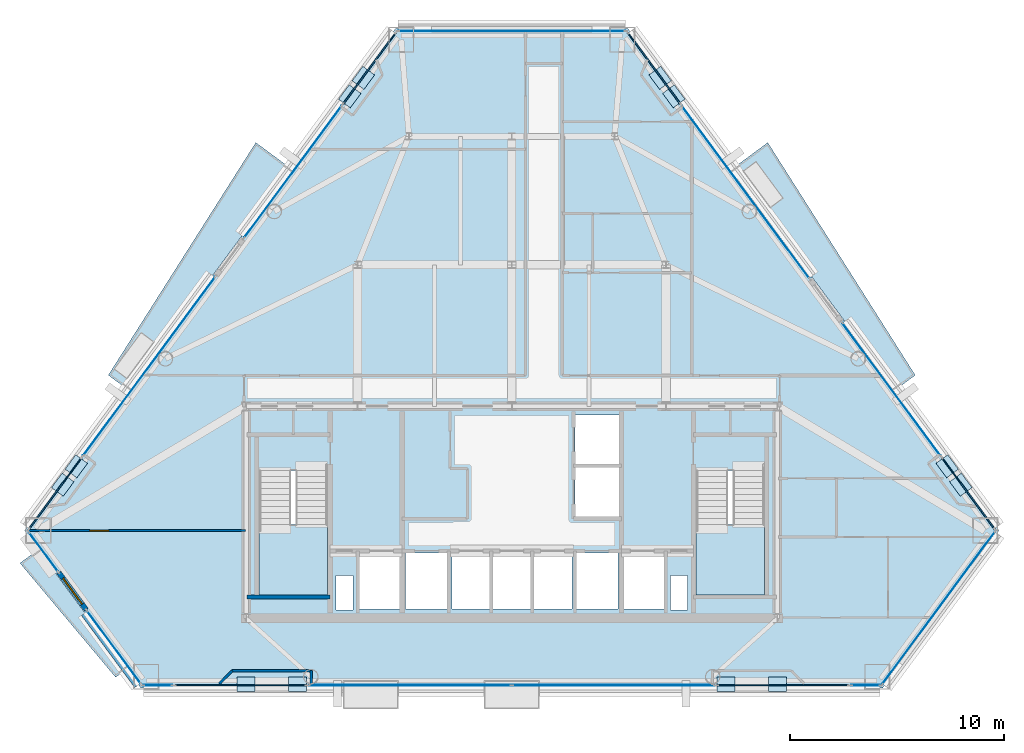
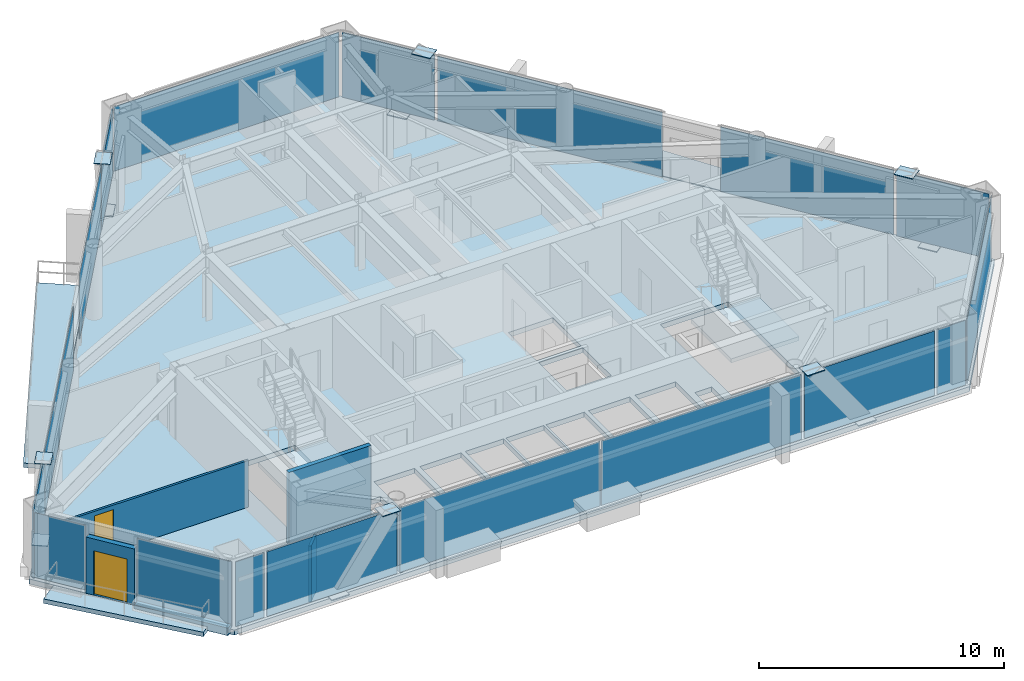
# One storey, part 6 of 11: 30 plates, 7 walls, 6 slabs, 2 doors, 2 openings, 19 elements without a shape of their own.
"""IFC4 building model written with IfcOpenShell, lengths in metres."""

import ifcopenshell
import ifcopenshell.guid

model = None  # the IFC model being written
_history = None  # IfcOwnerHistory: only IFC2X3 demands one
_inside = {}  # id of a spatial element -> (the spatial element, [elements in it])
_under = {}  # id of a project, library or spatial element -> (it, [spatial elements below it])
_declared = {}  # id of a project -> (the project, [libraries it declares])
_typed = {}  # id of a type object -> (the type object, [elements of that type])
_made_of = {}  # id of a material, layer set ... -> (it, [elements and type objects made of it])


def new_model(schema):
    """Start an empty IFC model of exactly this schema.

    Asked for "IFC4X3", IfcOpenShell would pick the latest addendum, in which some entities
    have other attributes; the version numbers below select the first issue.
    IFC2X3 requires an IfcOwnerHistory on every rooted entity: one is made here for all.
    """
    global model, _history
    if schema == "IFC4X3":
        model = ifcopenshell.file(schema_version=(4, 3, 0, 0))
    else:
        model = ifcopenshell.file(schema=schema)
    _inside.clear()
    _under.clear()
    _declared.clear()
    _typed.clear()
    _made_of.clear()
    _history = None
    if model.schema == "IFC2X3":
        org = make("IfcOrganization", Name="unknown")
        user = make(
            "IfcPersonAndOrganization",
            ThePerson=make("IfcPerson", FamilyName="unknown"),
            TheOrganization=org,
        )
        app = make(
            "IfcApplication",
            ApplicationDeveloper=org,
            Version="unknown",
            ApplicationFullName="unknown",
            ApplicationIdentifier="unknown",
        )
        _history = make(
            "IfcOwnerHistory",
            OwningUser=user,
            OwningApplication=app,
            ChangeAction="ADDED",
            CreationDate=0,
        )
    return model


def make(cls, **values):
    """One entity of the class cls with the attributes given. An attribute that is None is left unset."""
    return model.create_entity(
        cls, **{name: value for name, value in values.items() if value is not None}
    )


def rooted(cls, **values):
    """An entity with a GlobalId (a new one), such as an element, a storey or a relation."""
    return make(cls, GlobalId=ifcopenshell.guid.new(), OwnerHistory=_history, **values)


def si_unit(unit_type, name, prefix=None):
    """IfcSIUnit, for example si_unit("LENGTHUNIT", "METRE", prefix="MILLI")."""
    return make("IfcSIUnit", UnitType=unit_type, Prefix=prefix, Name=name)


def assignment(units):
    """IfcUnitAssignment: the units of a project."""
    return None if units is None else make("IfcUnitAssignment", Units=units)


def point(xyz):
    """IfcCartesianPoint."""
    return None if xyz is None else make("IfcCartesianPoint", Coordinates=xyz)


def direction(xyz):
    """IfcDirection."""
    return None if xyz is None else make("IfcDirection", DirectionRatios=xyz)


def frame(location, z_axis=None, x_axis=None):
    """IfcAxis2Placement3D, a coordinate frame: its origin and axes. An axis left out is left unset."""
    return make(
        "IfcAxis2Placement3D",
        Location=point(location),
        Axis=direction(z_axis),
        RefDirection=direction(x_axis),
    )


def frame_2d(location, x_axis=None):
    """IfcAxis2Placement2D, a coordinate frame in the plane: its origin and x axis."""
    return make(
        "IfcAxis2Placement2D", Location=point(location), RefDirection=direction(x_axis)
    )


def origin():
    """The frame at (0, 0, 0) with its axes left unset."""
    return frame((0.0, 0.0, 0.0))


def origin_2d():
    """The frame at (0, 0) in the plane with its x axis left unset."""
    return frame_2d((0.0, 0.0))


def place(relative_to, where):
    """IfcLocalPlacement: puts the frame where relative to a parent placement (None: the world)."""
    return make(
        "IfcLocalPlacement", PlacementRelTo=relative_to, RelativePlacement=where
    )


def context(
    kind, dimensions, precision=None, world=None, true_north=None, identifier=None
):
    """IfcGeometricRepresentationContext, for example the 3D "Model" context."""
    return make(
        "IfcGeometricRepresentationContext",
        ContextIdentifier=identifier,
        ContextType=kind,
        CoordinateSpaceDimension=dimensions,
        Precision=precision,
        WorldCoordinateSystem=world,
        TrueNorth=true_north,
    )


def subcontext(parent, identifier, kind, view, scale=None):
    """IfcGeometricRepresentationSubContext, for example "Body" below "Model"."""
    return make(
        "IfcGeometricRepresentationSubContext",
        ContextIdentifier=identifier,
        ContextType=kind,
        ParentContext=parent,
        TargetScale=scale,
        TargetView=view,
    )


def project(units=None, contexts=None):
    """IfcProject with its units and contexts."""
    return rooted(
        "IfcProject",
        Name="project",
        RepresentationContexts=contexts,
        UnitsInContext=assignment(units),
    )


def spatial(cls, under=None, at=None, **own):
    """A site, building, storey or space (cls), placed at a placement, below another one or the project."""
    s = rooted(cls, ObjectPlacement=at, **own)
    if under is not None:
        _under.setdefault(under.id(), (under, []))[1].append(s)
    return s


def polyline(points):
    """IfcPolyline through the points."""
    return make("IfcPolyline", Points=[point(p) for p in points])


def profile(cls, at=None, kind="AREA", **sizes):
    """A parametric profile (cls). Its sizes go by their IFC names, for example OverallWidth=200.0."""
    return make(cls, ProfileType=kind, Position=at, **sizes)


def rectangle(**sizes):
    """IfcRectangleProfileDef."""
    return profile("IfcRectangleProfileDef", **sizes)


def outline(outer, holes=None, kind="AREA"):
    """IfcArbitraryClosedProfileDef: a profile drawn as a closed curve; with holes, ...WithVoids."""
    if holes is None:
        return make("IfcArbitraryClosedProfileDef", ProfileType=kind, OuterCurve=outer)
    return make(
        "IfcArbitraryProfileDefWithVoids",
        ProfileType=kind,
        OuterCurve=outer,
        InnerCurves=holes,
    )


def extrude(swept, where, along, depth):
    """IfcExtrudedAreaSolid: the profile swept, set in the frame where, extruded along a direction by depth."""
    return make(
        "IfcExtrudedAreaSolid",
        SweptArea=swept,
        Position=where,
        ExtrudedDirection=direction(along),
        Depth=depth,
    )


def shape(context_of_items, identifier, shape_type, items):
    """IfcShapeRepresentation: the items that make up one representation, for example the "Body"."""
    return make(
        "IfcShapeRepresentation",
        ContextOfItems=context_of_items,
        RepresentationIdentifier=identifier,
        RepresentationType=shape_type,
        Items=items,
    )


def source(mapping_origin, context_of_items, identifier, shape_type, items):
    """IfcRepresentationMap: a shape defined once, which mapped items show again and again."""
    return make(
        "IfcRepresentationMap",
        MappingOrigin=mapping_origin,
        MappedRepresentation=shape(context_of_items, identifier, shape_type, items),
    )


def transform(
    local_origin,
    x_axis=None,
    y_axis=None,
    z_axis=None,
    scale=None,
    scale2=None,
    scale3=None,
    uniform=True,
):
    """IfcCartesianTransformationOperator3D, or its non-uniform kind. x_axis, y_axis, z_axis: its Axis1, 2, 3."""
    if uniform:
        return make(
            "IfcCartesianTransformationOperator3D",
            Axis1=direction(x_axis),
            Axis2=direction(y_axis),
            LocalOrigin=point(local_origin),
            Scale=scale,
            Axis3=direction(z_axis),
        )
    return make(
        "IfcCartesianTransformationOperator3DnonUniform",
        Axis1=direction(x_axis),
        Axis2=direction(y_axis),
        LocalOrigin=point(local_origin),
        Scale=scale,
        Axis3=direction(z_axis),
        Scale2=scale2,
        Scale3=scale3,
    )


def mapped(mapping_source, mapping_target):
    """IfcMappedItem: shows the shape of a source again, moved by a transform."""
    return make(
        "IfcMappedItem", MappingSource=mapping_source, MappingTarget=mapping_target
    )


def material(Name=None, Category=None):
    """IfcMaterial."""
    return make("IfcMaterial", Name=Name, Category=Category)


def layer(
    of_material, thickness, ventilated=None, Name=None, Category=None, Priority=None
):
    """IfcMaterialLayer: one layer of a wall or slab, of a material (None: an air gap)."""
    return make(
        "IfcMaterialLayer",
        Material=of_material,
        LayerThickness=thickness,
        IsVentilated=ventilated,
        Name=Name,
        Category=Category,
        Priority=Priority,
    )


def layer_set(layers, Name=None):
    """IfcMaterialLayerSet."""
    return make("IfcMaterialLayerSet", MaterialLayers=layers, LayerSetName=Name)


def made_of(thing, what):
    """Note that an element or type object is made of a material, layer set ...; save() writes the relation."""
    if what is not None:
        _made_of.setdefault(what.id(), (what, []))[1].append(thing)
    return thing


def type_object(cls, material=None, **own):
    """A type object (cls), such as IfcWallType, which elements share."""
    return made_of(rooted(cls, **own), material)


def type_shapes(of_type, sources):
    """Give a type object the sources (RepresentationMaps) that its elements show as mapped items."""
    of_type.RepresentationMaps = sources


def element(
    cls,
    number,
    at=None,
    inside=None,
    cuts=None,
    type_object=None,
    material=None,
    context=None,
    identifier="Body",
    shape_type=None,
    held_by="IfcProductDefinitionShape",
    body=None,
    shapes=None,
    **own,
):
    """One element of the class cls, such as IfcWall. Its Tag is "e" and its number.

    at: its placement. inside: the storey or other place that contains it. cuts: it is an
    opening in that element (IfcRelVoidsElement). A single representation is given by context,
    identifier, shape_type and body (its items); several are given by shapes. held_by: the class
    of the entity that holds the representations. save() writes the other relations.
    """
    e = rooted(cls, Tag="e%d" % number, ObjectPlacement=at, **own)
    if body is not None:
        shapes = [shape(context, identifier, shape_type, body)]
    if shapes is not None:
        e.Representation = make(held_by, Representations=shapes)
    if inside is not None:
        _inside.setdefault(inside.id(), (inside, []))[1].append(e)
    if cuts is not None:
        rooted(
            "IfcRelVoidsElement", RelatingBuildingElement=cuts, RelatedOpeningElement=e
        )
    if type_object is not None:
        _typed.setdefault(type_object.id(), (type_object, []))[1].append(e)
    return made_of(e, material)


def fill(opening, filler):
    """IfcRelFillsElement: the door or window that sits in an opening."""
    return rooted(
        "IfcRelFillsElement",
        RelatingOpeningElement=opening,
        RelatedBuildingElement=filler,
    )


def aggregate(whole, parts):
    """IfcRelAggregates: a whole, such as a stair, and the parts it consists of."""
    return rooted("IfcRelAggregates", RelatingObject=whole, RelatedObjects=parts)


def save(model, path):
    """Write the relations noted so far, then the file.

    IfcRelAggregates (storeys below a building ...), IfcRelContainedInSpatialStructure (elements
    in a storey), IfcRelDefinesByType, IfcRelAssociatesMaterial and IfcRelDeclares: one each for
    every whole, place, type object, material and project.
    """
    for whole, parts in _under.values():
        aggregate(whole, parts)
    for where, things in _inside.values():
        rooted(
            "IfcRelContainedInSpatialStructure",
            RelatedElements=things,
            RelatingStructure=where,
        )
    for kind, things in _typed.values():
        rooted("IfcRelDefinesByType", RelatedObjects=things, RelatingType=kind)
    for what, things in _made_of.values():
        rooted("IfcRelAssociatesMaterial", RelatedObjects=things, RelatingMaterial=what)
    for by, libraries in _declared.values():
        rooted("IfcRelDeclares", RelatingContext=by, RelatedDefinitions=libraries)
    model.write(path)


model = new_model("IFC4")

# Units and contexts
model_context = context("Model", 3, precision=1e-05, world=origin(), true_north=direction((0.0, 1.0)))
body_context = subcontext(model_context, "Body", "Model", "MODEL_VIEW")
ifc_project = project(units=[si_unit("LENGTHUNIT", "METRE"), si_unit("AREAUNIT", "SQUARE_METRE"), si_unit("VOLUMEUNIT", "CUBIC_METRE"), si_unit("PLANEANGLEUNIT", "RADIAN"), si_unit("MASSUNIT", "GRAM", prefix="KILO")], contexts=[model_context])

# Site, building, storey
site_placement = place(None, origin())
site = spatial("IfcSite", under=ifc_project, at=site_placement, CompositionType="ELEMENT")
building_placement = place(site_placement, origin())
building = spatial("IfcBuilding", under=site, at=building_placement, Name="Talgorran Terracotta Tower", CompositionType="ELEMENT")
storey_placement = place(building_placement, frame((0.0, 0.0, 136.5)))
storey = spatial("IfcBuildingStorey", under=building, at=storey_placement, Name="L35", CompositionType="ELEMENT", Elevation=136.5)

# Plates
ifc_material_1 = material(Name="Steel Grade 350 (350L0)", Category="steel")
ifc_layer_1 = layer(ifc_material_1, 0.035888671875, Name="PL_CAP_MN06")
ifc_layer_set_1 = layer_set([ifc_layer_1], Name="Steel Grade 350 (350L0)")
plate_type_1 = type_object("IfcPlateType", Name="PL_CAP_MN06", PredefinedType="USERDEFINED", material=ifc_layer_set_1)
for number, where, z_axis, x_axis, name in (
    (1, (-12.41162109375, -17.178955078125, -0.0078125), (0.0, 0.0, 1.0), (1.0, 0.0, 0.0), "L35 Diagonal Frame End Cap SWF Bot"),
    (2, (-9.998291015625, -17.178955078125, 3.322265625), (0.0, 0.0, 1.0), (1.0, 0.0, 0.0), "L35 Diagonal Frame End Cap SWF Top"),
    (3, (12.41162109375, -17.178955078125, -0.0078125), (0.0, 0.0, 1.0), (-1.0, 0.0, 0.0), "L35 Diagonal Frame End Cap SEF Bot"),
    (4, (9.998291015625, -17.178955078125, 3.322265625), (0.0, 0.0, 1.0), (-1.0, 0.0, 0.0), "L35 Diagonal Frame End Cap SEF Top"),
    (5, (20.96142578125, -7.85888671875, -0.0078125), (0.0, 0.0, 1.0), (-0.594401806766, 0.804168198895, 0.0), "L35 Diagonal Frame End Cap NEL Bot"),
    (6, (20.324951171875, -6.997802734375, 3.322265625), (0.0, 0.0, 1.0), (-0.594401806766, 0.804168198895, 0.0), "L35 Diagonal Frame End Cap NEL Top"),
    (7, (6.925537109375, 11.13232421875, -0.0078125), (0.0, 0.0, 1.0), (0.594401806766, -0.804168198895, 0.0), "L35 Diagonal Frame End Cap NEU Bot"),
    (8, (7.56201171875, 10.271240234375, 3.322265625), (0.0, 0.0, 1.0), (0.594401806766, -0.804168198895, 0.0), "L35 Diagonal Frame End Cap NEU Top"),
    (9, (-6.925537109375, 11.13232421875, -0.0078125), (0.0, 0.0, 1.0), (-0.594401806766, -0.804168198895, 0.0), "L35 Diagonal Frame End Cap NWU Bot"),
    (10, (-7.56201171875, 10.271240234375, 3.322265625), (0.0, 0.0, 1.0), (-0.594401806766, -0.804168198895, 0.0), "L35 Diagonal Frame End Cap NWU Top"),
    (11, (-20.96142578125, -7.85888671875, -0.0078125), (0.0, 0.0, 1.0), (0.594401806766, 0.804168198895, 0.0), "L35 Diagonal Frame End Cap NWL Bot"),
    (12, (-20.324951171875, -6.997802734375, 3.322265625), (0.0, 0.0, 1.0), (0.594401806766, 0.804168198895, 0.0), "L35 Diagonal Frame End Cap NWL Top"),
):
    element("IfcPlate", number, at=place(storey_placement, frame(where, z_axis=z_axis, x_axis=x_axis)), inside=storey, type_object=plate_type_1, Name=name, ObjectType="CAP PLATE", PredefinedType="USERDEFINED", context=body_context, shape_type="SweptSolid", body=[
        extrude(rectangle(XDim=0.840087890625, YDim=0.679931640625, at=origin_2d()), origin(), (0.0, 0.0, 1.0), 0.035888671875),
    ])

# Slabs
ifc_material_2 = material(Name="Concrete C40/50", Category="concrete")
ifc_layer_2 = layer(ifc_material_2, 0.219970703125, Name="SL_BALCONY_220")
ifc_layer_set_2 = layer_set([ifc_layer_2], Name="Concrete C40/50")
slab_type_1 = type_object("IfcSlabType", Name="SL_BALCONY_220", PredefinedType="FLOOR", material=ifc_layer_set_2)
slab_1_placement = place(storey_placement, frame((0.0, 0.0, -0.219970703125)))
element("IfcSlab", 13, at=slab_1_placement, inside=storey, type_object=slab_type_1, Name="L35 Outdoor Wave Balcony BAL-NE", PredefinedType="FLOOR", context=body_context, shape_type="SweptSolid", body=[
    extrude(outline(polyline([(10.28515625, 6.881103515625), (17.905517578125, -3.4296875), (18.832275390625, -2.7451171875), (11.947998046875, 8.10986328125), (10.28515625, 6.881103515625)])), origin(), (0.0, 0.0, 1.0), 0.219970703125),
])
slab_2_placement = place(storey_placement, frame((0.0, 0.0, -0.219970703125)))
element("IfcSlab", 14, at=slab_2_placement, inside=storey, type_object=slab_type_1, Name="L35 Outdoor Wave Balcony BAL-NW", PredefinedType="FLOOR", context=body_context, shape_type="SweptSolid", body=[
    extrude(outline(polyline([(-17.905517578125, -3.4296875), (-10.28515625, 6.881103515625), (-11.947998046875, 8.10986328125), (-18.832275390625, -2.7451171875), (-17.905517578125, -3.4296875)])), origin(), (0.0, 0.0, 1.0), 0.219970703125),
])
slab_3_placement = place(storey_placement, frame((0.0, 0.0, -0.219970703125)))
element("IfcSlab", 15, at=slab_3_placement, inside=storey, type_object=slab_type_1, Name="L35 Outdoor Wave Balcony BAL-SW", PredefinedType="FLOOR", context=body_context, shape_type="SweptSolid", body=[
    extrude(outline(polyline([(-17.98193359375, -16.46728515625), (-22.10400390625, -10.889892578125), (-22.955078125, -11.518798828125), (-18.4931640625, -16.844970703125), (-17.98193359375, -16.46728515625)])), origin(), (0.0, 0.0, 1.0), 0.219970703125),
])

# Stair, slab
stair_type = type_object("IfcStairType", Name="ST_FIRE_SCISSOR", PredefinedType="HALF_TURN_STAIR", material=ifc_material_2)
stair_1_placement = place(storey_placement, origin())
stair_1 = element("IfcStair", 16, at=stair_1_placement, inside=storey, type_object=stair_type, Name="L35 West Protected Fire Stair ST-01", PredefinedType="HALF_TURN_STAIR")
ifc_layer_3 = layer(ifc_material_2, 0.199951171875, Name="SL_LANDING_200")
ifc_layer_set_3 = layer_set([ifc_layer_3], Name="Concrete C40/50")
slab_type_2 = type_object("IfcSlabType", Name="SL_LANDING_200", PredefinedType="LANDING", material=ifc_layer_set_3)
slab_4_placement = place(storey_placement, frame((0.0, 0.0, 1.60009765625)))
slab_4 = element("IfcSlab", 17, at=slab_4_placement, type_object=slab_type_2, Name="ST-01 landing 1", PredefinedType="LANDING", context=body_context, shape_type="SweptSolid", body=[
    extrude(outline(polyline([(-11.800048828125, -9.719970703125), (-11.800048828125, -13.0), (-8.60009765625, -13.0), (-8.60009765625, -9.719970703125), (-11.800048828125, -9.719970703125)])), origin(), (0.0, 0.0, 1.0), 0.199951171875),
])
aggregate(stair_1, [slab_4])

stair_2_placement = place(storey_placement, origin())
stair_2 = element("IfcStair", 18, at=stair_2_placement, inside=storey, type_object=stair_type, Name="L35 East Protected Fire Stair ST-02", PredefinedType="HALF_TURN_STAIR")
slab_5_placement = place(storey_placement, frame((0.0, 0.0, 1.60009765625)))
slab_5 = element("IfcSlab", 19, at=slab_5_placement, type_object=slab_type_2, Name="ST-02 landing 1", PredefinedType="LANDING", context=body_context, shape_type="SweptSolid", body=[
    extrude(outline(polyline([(8.60009765625, -9.719970703125), (8.60009765625, -13.0), (11.800048828125, -13.0), (11.800048828125, -9.719970703125), (8.60009765625, -9.719970703125)])), origin(), (0.0, 0.0, 1.0), 0.199951171875),
])
aggregate(stair_2, [slab_5])

# Slab
ifc_layer_4 = layer(ifc_material_2, 0.25, Name="SL_TOWER_250")
ifc_layer_set_4 = layer_set([ifc_layer_4], Name="Concrete C40/50")
slab_type_3 = type_object("IfcSlabType", Name="SL_TOWER_250", PredefinedType="FLOOR", material=ifc_layer_set_4)
slab_6_placement = place(storey_placement, frame((0.0, 0.0, -0.25)))
element("IfcSlab", 20, at=slab_6_placement, inside=storey, type_object=slab_type_3, Name="Storey L35 Structural Floor Slab", PredefinedType="FLOOR", context=body_context, shape_type="SweptSolid", body=[
    extrude(outline(polyline([(-22.742919921875, -10.000244140625), (-17.319091796875, -17.3388671875), (17.319091796875, -17.3388671875), (22.742919921875, -10.000244140625), (5.423828125, 13.43359375), (-5.423828125, 13.43359375), (-22.742919921875, -10.000244140625)]), holes=[polyline([(-11.800048828125, -7.199951171875), (-11.800048828125, -13.0), (-8.60009765625, -13.0), (-8.60009765625, -7.199951171875), (-11.800048828125, -7.199951171875)]), polyline([(8.60009765625, -7.199951171875), (8.60009765625, -13.0), (11.800048828125, -13.0), (11.800048828125, -7.199951171875), (8.60009765625, -7.199951171875)]), polyline([(-7.10009765625, -13.64990234375), (-5.199951171875, -13.64990234375), (-5.199951171875, -11.050048828125), (-7.10009765625, -11.050048828125), (-7.10009765625, -13.64990234375)]), polyline([(5.199951171875, -13.64990234375), (7.10009765625, -13.64990234375), (7.10009765625, -11.050048828125), (5.199951171875, -11.050048828125), (5.199951171875, -13.64990234375)]), polyline([(3.0, -13.64990234375), (4.949951171875, -13.64990234375), (4.949951171875, -11.050048828125), (3.0, -11.050048828125), (3.0, -13.64990234375)]), polyline([(-4.949951171875, -13.64990234375), (-3.0, -13.64990234375), (-3.0, -11.050048828125), (-4.949951171875, -11.050048828125), (-4.949951171875, -13.64990234375)]), polyline([(2.949951171875, -9.35009765625), (5.050048828125, -9.35009765625), (5.050048828125, -7.050048828125), (2.949951171875, -7.050048828125), (2.949951171875, -9.35009765625)]), polyline([(2.949951171875, -6.89990234375), (5.050048828125, -6.89990234375), (5.050048828125, -4.60009765625), (2.949951171875, -4.60009765625), (2.949951171875, -6.89990234375)]), polyline([(-2.800048828125, -13.64990234375), (-1.0, -13.64990234375), (-1.0, -11.050048828125), (-2.800048828125, -11.050048828125), (-2.800048828125, -13.64990234375)]), polyline([(-0.89990234375, -13.64990234375), (0.89990234375, -13.64990234375), (0.89990234375, -11.050048828125), (-0.89990234375, -11.050048828125), (-0.89990234375, -13.64990234375)]), polyline([(1.0, -13.64990234375), (2.800048828125, -13.64990234375), (2.800048828125, -11.050048828125), (1.0, -11.050048828125), (1.0, -13.64990234375)]), polyline([(-8.199951171875, -13.699951171875), (-7.39990234375, -13.699951171875), (-7.39990234375, -12.10009765625), (-8.199951171875, -12.10009765625), (-8.199951171875, -13.699951171875)]), polyline([(7.39990234375, -13.699951171875), (8.199951171875, -13.699951171875), (8.199951171875, -12.10009765625), (7.39990234375, -12.10009765625), (7.39990234375, -13.699951171875)])]), origin(), (0.0, 0.0, 1.0), 0.25),
])

# Curtain wall, plate
ifc_material_3 = material(Name="Unitised Low-E Double Glazing", Category="glass")
ifc_layer_5 = layer(ifc_material_3, 0.199951171875, Name="CW_SYS2_RES_LOW")
ifc_layer_set_5 = layer_set([ifc_layer_5], Name="Unitised Low-E Double Glazing")
curtain_wall_type = type_object("IfcCurtainWallType", Name="CW_SYS2_RES_LOW", PredefinedType="NOTDEFINED", material=ifc_layer_set_5)
curtain_wall_1_placement = place(storey_placement, origin())
curtain_wall_1 = element("IfcCurtainWall", 21, at=curtain_wall_1_placement, inside=storey, type_object=curtain_wall_type, Name="CW-L35-F10", PredefinedType="NOTDEFINED")
ifc_material_4 = material(Name="Low-E Laminated Vision Glass", Category="glass")
ifc_layer_6 = layer(ifc_material_4, 0.028076171875, Name="PLT_VISION_28")
ifc_layer_set_6 = layer_set([ifc_layer_6], Name="Low-E Laminated Vision Glass")
plate_type_2 = type_object("IfcPlateType", Name="PLT_VISION_28", PredefinedType="CURTAIN_PANEL", material=ifc_layer_set_6)
shared_shape_1 = source(origin(), body_context, "Body", "SweptSolid", [
    extrude(rectangle(XDim=2.269287109375, YDim=0.028076171875, at=origin_2d()), origin(), (0.0, 0.0, 1.0), 3.219970703125),
])
plate_1_placement = place(storey_placement, frame((-21.85693359375, -10.9970703125, 0.06494140625), z_axis=(0.0, 0.0, 1.0), x_axis=(0.594350043169, -0.804206457438, 0.0)))
plate_1 = element("IfcPlate", 22, at=plate_1_placement, type_object=plate_type_2, Name="CW-L35-10 panel 1.1", PredefinedType="CURTAIN_PANEL", context=body_context, shape_type="MappedRepresentation", body=[
    mapped(shared_shape_1, transform((0.0, 0.0, 0.0), scale=1.0)),
])
aggregate(curtain_wall_1, [plate_1])

curtain_wall_2_placement = place(storey_placement, origin())
curtain_wall_2 = element("IfcCurtainWall", 23, at=curtain_wall_2_placement, inside=storey, type_object=curtain_wall_type, Name="CW-L35-F11", PredefinedType="NOTDEFINED")
shared_shape_2 = source(origin(), body_context, "Body", "SweptSolid", [
    extrude(rectangle(XDim=4.206787109375, YDim=0.028076171875, at=origin_2d()), origin(), (0.0, 0.0, 1.0), 3.219970703125),
])
plate_2_placement = place(storey_placement, frame((-18.5712890625, -15.44287109375, 0.06494140625), z_axis=(0.0, 0.0, 1.0), x_axis=(0.594366424253, -0.804194350714, 0.0)))
plate_2 = element("IfcPlate", 24, at=plate_2_placement, type_object=plate_type_2, Name="CW-L35-11 panel 1.1", PredefinedType="CURTAIN_PANEL", context=body_context, shape_type="MappedRepresentation", body=[
    mapped(shared_shape_2, transform((0.0, 0.0, 0.0), scale=1.0)),
])
aggregate(curtain_wall_2, [plate_2])

curtain_wall_3_placement = place(storey_placement, origin())
curtain_wall_3 = element("IfcCurtainWall", 25, at=curtain_wall_3_placement, inside=storey, type_object=curtain_wall_type, Name="CW-L35-F1", PredefinedType="NOTDEFINED")
shared_shape_3 = source(origin(), body_context, "Body", "SweptSolid", [
    extrude(rectangle(XDim=1.3359375, YDim=0.028076171875, at=origin_2d()), origin(), (0.0, 0.0, 1.0), 3.219970703125),
])
plate_3_placement = place(storey_placement, frame((-16.525634765625, -17.218994140625, 0.06494140625), z_axis=(0.0, 0.0, 1.0), x_axis=(1.0, 0.0, 0.0)))
plate_3 = element("IfcPlate", 26, at=plate_3_placement, type_object=plate_type_2, Name="CW-L35-1 panel 1.1", PredefinedType="CURTAIN_PANEL", context=body_context, shape_type="MappedRepresentation", body=[
    mapped(shared_shape_3, transform((0.0, 0.0, 0.0), scale=1.0)),
])
aggregate(curtain_wall_3, [plate_3])

curtain_wall_4_placement = place(storey_placement, origin())
curtain_wall_4 = element("IfcCurtainWall", 27, at=curtain_wall_4_placement, inside=storey, type_object=curtain_wall_type, Name="CW-L35-F1E", PredefinedType="NOTDEFINED")
plate_4_placement = place(storey_placement, frame((16.525634765625, -17.218994140625, 0.06494140625), z_axis=(0.0, 0.0, 1.0), x_axis=(1.0, 0.0, 0.0)))
plate_4 = element("IfcPlate", 28, at=plate_4_placement, type_object=plate_type_2, Name="CW-L35-1E panel 1.1", PredefinedType="CURTAIN_PANEL", context=body_context, shape_type="MappedRepresentation", body=[
    mapped(shared_shape_3, transform((0.0, 0.0, 0.0), scale=1.0)),
])
aggregate(curtain_wall_4, [plate_4])

curtain_wall_5_placement = place(storey_placement, origin())
curtain_wall_5 = element("IfcCurtainWall", 29, at=curtain_wall_5_placement, inside=storey, type_object=curtain_wall_type, Name="CW-L35-F1B", PredefinedType="NOTDEFINED")
ifc_material_5 = material(Name="Terracotta Insulated Spandrel", Category="masonry")
ifc_layer_7 = layer(ifc_material_5, 0.06494140625, Name="PLT_SPANDREL_TERRA")
ifc_layer_set_7 = layer_set([ifc_layer_7], Name="Terracotta Insulated Spandrel")
plate_type_3 = type_object("IfcPlateType", Name="PLT_SPANDREL_TERRA", PredefinedType="SHEET", material=ifc_layer_set_7)
shared_shape_4 = source(origin(), body_context, "Body", "SweptSolid", [
    extrude(rectangle(XDim=6.1171875, YDim=0.06494140625, at=origin_2d()), origin(), (0.0, 0.0, 1.0), 3.219970703125),
])
plate_5_placement = place(storey_placement, frame((-12.658935546875, -17.218994140625, 0.06494140625), z_axis=(0.0, 0.0, 1.0), x_axis=(1.0, 0.0, 0.0)))
plate_5 = element("IfcPlate", 30, at=plate_5_placement, type_object=plate_type_3, Name="CW-L35-1B panel 1.1", PredefinedType="CURTAIN_PANEL", context=body_context, shape_type="MappedRepresentation", body=[
    mapped(shared_shape_4, transform((0.0, 0.0, 0.0), scale=1.0)),
])
aggregate(curtain_wall_5, [plate_5])

curtain_wall_6_placement = place(storey_placement, origin())
curtain_wall_6 = element("IfcCurtainWall", 31, at=curtain_wall_6_placement, inside=storey, type_object=curtain_wall_type, Name="CW-L35-F1D", PredefinedType="NOTDEFINED")
plate_6_placement = place(storey_placement, frame((12.658935546875, -17.218994140625, 0.06494140625), z_axis=(0.0, 0.0, 1.0), x_axis=(1.0, 0.0, 0.0)))
plate_6 = element("IfcPlate", 32, at=plate_6_placement, type_object=plate_type_3, Name="CW-L35-1D panel 1.1", PredefinedType="CURTAIN_PANEL", context=body_context, shape_type="MappedRepresentation", body=[
    mapped(shared_shape_4, transform((0.0, 0.0, 0.0), scale=1.0)),
])
aggregate(curtain_wall_6, [plate_6])

# Curtain wall, plates
curtain_wall_7_placement = place(storey_placement, origin())
curtain_wall_7 = element("IfcCurtainWall", 33, at=curtain_wall_7_placement, inside=storey, type_object=curtain_wall_type, Name="CW-L35-F1C", PredefinedType="NOTDEFINED")
shared_shape_5 = source(origin(), body_context, "Body", "SweptSolid", [
    extrude(rectangle(XDim=9.427734375, YDim=0.028076171875, at=origin_2d()), origin(), (0.0, 0.0, 1.0), 3.219970703125),
])
plate_7_placement = place(storey_placement, frame((-4.746337890625, -17.218994140625, 0.06494140625), z_axis=(0.0, 0.0, 1.0), x_axis=(1.0, 0.0, 0.0)))
plate_7 = element("IfcPlate", 34, at=plate_7_placement, type_object=plate_type_2, Name="CW-L35-1C panel 1.1", PredefinedType="CURTAIN_PANEL", context=body_context, shape_type="MappedRepresentation", body=[
    mapped(shared_shape_5, transform((0.0, 0.0, 0.0), scale=1.0)),
])
plate_8_placement = place(storey_placement, frame((4.746337890625, -17.218994140625, 0.06494140625), z_axis=(0.0, 0.0, 1.0), x_axis=(1.0, 0.0, 0.0)))
plate_8 = element("IfcPlate", 35, at=plate_8_placement, type_object=plate_type_2, Name="CW-L35-1C panel 2.1", PredefinedType="CURTAIN_PANEL", context=body_context, shape_type="MappedRepresentation", body=[
    mapped(shared_shape_5, transform((0.0, 0.0, 0.0), scale=1.0)),
])
aggregate(curtain_wall_7, [plate_7, plate_8])

# Curtain wall, plate
curtain_wall_8_placement = place(storey_placement, origin())
curtain_wall_8 = element("IfcCurtainWall", 36, at=curtain_wall_8_placement, inside=storey, type_object=curtain_wall_type, Name="CW-L35-F2", PredefinedType="NOTDEFINED")
shared_shape_6 = source(origin(), body_context, "Body", "SweptSolid", [
    extrude(rectangle(XDim=8.84619140625, YDim=0.028076171875, at=origin_2d()), origin(), (0.0, 0.0, 1.0), 3.219970703125),
])
plate_9_placement = place(storey_placement, frame((19.92626953125, -13.609619140625, 0.06494140625), z_axis=(0.0, 0.0, 1.0), x_axis=(0.594357856926, 0.80420068261, 0.0)))
plate_9 = element("IfcPlate", 37, at=plate_9_placement, type_object=plate_type_2, Name="CW-L35-2 panel 1.1", PredefinedType="CURTAIN_PANEL", context=body_context, shape_type="MappedRepresentation", body=[
    mapped(shared_shape_6, transform((0.0, 0.0, 0.0), scale=1.0)),
])
aggregate(curtain_wall_8, [plate_9])

curtain_wall_9_placement = place(storey_placement, origin())
curtain_wall_9 = element("IfcCurtainWall", 38, at=curtain_wall_9_placement, inside=storey, type_object=curtain_wall_type, Name="CW-L35-F40", PredefinedType="NOTDEFINED")
shared_shape_7 = source(origin(), body_context, "Body", "SweptSolid", [
    extrude(rectangle(XDim=4.10986328125, YDim=0.06494140625, at=origin_2d()), origin(), (0.0, 0.0, 1.0), 3.219970703125),
])
plate_10_placement = place(storey_placement, frame((21.309814453125, -8.26318359375, 0.06494140625), z_axis=(0.0, 0.0, 1.0), x_axis=(-0.594358565446, 0.804200158966, 0.0)))
plate_10 = element("IfcPlate", 39, at=plate_10_placement, type_object=plate_type_3, Name="CW-L35-40 panel 1.1", PredefinedType="CURTAIN_PANEL", context=body_context, shape_type="MappedRepresentation", body=[
    mapped(shared_shape_7, transform((0.0, 0.0, 0.0), scale=1.0)),
])
aggregate(curtain_wall_9, [plate_10])

curtain_wall_10_placement = place(storey_placement, origin())
curtain_wall_10 = element("IfcCurtainWall", 40, at=curtain_wall_10_placement, inside=storey, type_object=curtain_wall_type, Name="CW-L35-F61B", PredefinedType="NOTDEFINED")
plate_11_placement = place(storey_placement, frame((-21.309814453125, -8.26318359375, 0.06494140625), z_axis=(0.0, 0.0, 1.0), x_axis=(-0.594358565446, -0.804200158966, 0.0)))
plate_11 = element("IfcPlate", 41, at=plate_11_placement, type_object=plate_type_3, Name="CW-L35-61B panel 1.1", PredefinedType="CURTAIN_PANEL", context=body_context, shape_type="MappedRepresentation", body=[
    mapped(shared_shape_7, transform((0.0, 0.0, 0.0), scale=1.0)),
])
aggregate(curtain_wall_10, [plate_11])

curtain_wall_11_placement = place(storey_placement, origin())
curtain_wall_11 = element("IfcCurtainWall", 42, at=curtain_wall_11_placement, inside=storey, type_object=curtain_wall_type, Name="CW-L35-F40B", PredefinedType="NOTDEFINED")
shared_shape_8 = source(origin(), body_context, "Body", "SweptSolid", [
    extrude(rectangle(XDim=7.69970703125, YDim=0.028076171875, at=origin_2d()), origin(), (0.0, 0.0, 1.0), 3.219970703125),
])
plate_12_placement = place(storey_placement, frame((17.717041015625, -3.40185546875, 0.06494140625), z_axis=(0.0, 0.0, 1.0), x_axis=(-0.5943594591, 0.804199498494, 0.0)))
plate_12 = element("IfcPlate", 43, at=plate_12_placement, type_object=plate_type_2, Name="CW-L35-40B panel 1.1", PredefinedType="CURTAIN_PANEL", context=body_context, shape_type="MappedRepresentation", body=[
    mapped(shared_shape_8, transform((0.0, 0.0, 0.0), scale=1.0)),
])
aggregate(curtain_wall_11, [plate_12])

curtain_wall_12_placement = place(storey_placement, origin())
curtain_wall_12 = element("IfcCurtainWall", 44, at=curtain_wall_12_placement, inside=storey, type_object=curtain_wall_type, Name="CW-L35-F41", PredefinedType="NOTDEFINED")
shared_shape_9 = source(origin(), body_context, "Body", "SweptSolid", [
    extrude(rectangle(XDim=9.999755859375, YDim=0.028076171875, at=origin_2d()), origin(), (0.0, 0.0, 1.0), 3.219970703125),
])
plate_13_placement = place(storey_placement, frame((10.917724609375, 5.798095703125, 0.06494140625), z_axis=(0.0, 0.0, 1.0), x_axis=(-0.594355808995, 0.804202196164, 0.0)))
plate_13 = element("IfcPlate", 45, at=plate_13_placement, type_object=plate_type_2, Name="CW-L35-41 panel 1.1", PredefinedType="CURTAIN_PANEL", context=body_context, shape_type="MappedRepresentation", body=[
    mapped(shared_shape_9, transform((0.0, 0.0, 0.0), scale=1.0)),
])
aggregate(curtain_wall_12, [plate_13])

curtain_wall_13_placement = place(storey_placement, origin())
curtain_wall_13 = element("IfcCurtainWall", 46, at=curtain_wall_13_placement, inside=storey, type_object=curtain_wall_type, Name="CW-L35-F41B", PredefinedType="NOTDEFINED")
shared_shape_10 = source(origin(), body_context, "Body", "SweptSolid", [
    extrude(rectangle(XDim=4.100341796875, YDim=0.06494140625, at=origin_2d()), origin(), (0.0, 0.0, 1.0), 3.219970703125),
])
type_shapes(plate_type_3, [shared_shape_4, shared_shape_7, shared_shape_10])
plate_14_placement = place(storey_placement, frame((6.644287109375, 11.580322265625, 0.06494140625), z_axis=(0.0, 0.0, 1.0), x_axis=(-0.594345863562, 0.804209546367, 0.0)))
plate_14 = element("IfcPlate", 47, at=plate_14_placement, type_object=plate_type_3, Name="CW-L35-41B panel 1.1", PredefinedType="CURTAIN_PANEL", context=body_context, shape_type="MappedRepresentation", body=[
    mapped(shared_shape_10, transform((0.0, 0.0, 0.0), scale=1.0)),
])
aggregate(curtain_wall_13, [plate_14])

curtain_wall_14_placement = place(storey_placement, origin())
curtain_wall_14 = element("IfcCurtainWall", 48, at=curtain_wall_14_placement, inside=storey, type_object=curtain_wall_type, Name="CW-L35-F60", PredefinedType="NOTDEFINED")
plate_15_placement = place(storey_placement, frame((-6.644287109375, 11.580322265625, 0.06494140625), z_axis=(0.0, 0.0, 1.0), x_axis=(-0.594361151593, -0.804198247621, 0.0)))
plate_15 = element("IfcPlate", 49, at=plate_15_placement, type_object=plate_type_3, Name="CW-L35-60 panel 1.1", PredefinedType="CURTAIN_PANEL", context=body_context, shape_type="MappedRepresentation", body=[
    mapped(shared_shape_10, transform((0.0, 0.0, 0.0), scale=1.0)),
])
aggregate(curtain_wall_14, [plate_15])

curtain_wall_15_placement = place(storey_placement, origin())
curtain_wall_15 = element("IfcCurtainWall", 50, at=curtain_wall_15_placement, inside=storey, type_object=curtain_wall_type, Name="CW-L35-F4", PredefinedType="NOTDEFINED")
shared_shape_11 = source(origin(), body_context, "Body", "SweptSolid", [
    extrude(rectangle(XDim=10.5966796875, YDim=0.028076171875, at=origin_2d()), origin(), (0.0, 0.0, 1.0), 3.219970703125),
])
plate_16_placement = place(storey_placement, frame((0.0, 13.3134765625, 0.06494140625), z_axis=(0.0, 0.0, 1.0), x_axis=(-1.0, 0.0, 0.0)))
plate_16 = element("IfcPlate", 51, at=plate_16_placement, type_object=plate_type_2, Name="CW-L35-4 panel 1.1", PredefinedType="CURTAIN_PANEL", context=body_context, shape_type="MappedRepresentation", body=[
    mapped(shared_shape_11, transform((0.0, 0.0, 0.0), scale=1.0)),
])
aggregate(curtain_wall_15, [plate_16])

curtain_wall_16_placement = place(storey_placement, origin())
curtain_wall_16 = element("IfcCurtainWall", 52, at=curtain_wall_16_placement, inside=storey, type_object=curtain_wall_type, Name="CW-L35-F60B", PredefinedType="NOTDEFINED")
shared_shape_12 = source(origin(), body_context, "Body", "SweptSolid", [
    extrude(rectangle(XDim=7.64111328125, YDim=0.028076171875, at=origin_2d()), origin(), (0.0, 0.0, 1.0), 3.219970703125),
])
plate_17_placement = place(storey_placement, frame((-10.216796875, 6.746337890625, 0.06494140625), z_axis=(0.0, 0.0, 1.0), x_axis=(-0.594364285737, -0.804195931251, 0.0)))
plate_17 = element("IfcPlate", 53, at=plate_17_placement, type_object=plate_type_2, Name="CW-L35-60B panel 1.1", PredefinedType="CURTAIN_PANEL", context=body_context, shape_type="MappedRepresentation", body=[
    mapped(shared_shape_12, transform((0.0, 0.0, 0.0), scale=1.0)),
])
aggregate(curtain_wall_16, [plate_17])

curtain_wall_17_placement = place(storey_placement, origin())
curtain_wall_17 = element("IfcCurtainWall", 54, at=curtain_wall_17_placement, inside=storey, type_object=curtain_wall_type, Name="CW-L35-F61", PredefinedType="NOTDEFINED")
shared_shape_13 = source(origin(), body_context, "Body", "SweptSolid", [
    extrude(rectangle(XDim=10.358642578125, YDim=0.028076171875, at=origin_2d()), origin(), (0.0, 0.0, 1.0), 3.219970703125),
])
type_shapes(plate_type_2, [shared_shape_1, shared_shape_2, shared_shape_3, shared_shape_5, shared_shape_6, shared_shape_8, shared_shape_9, shared_shape_11, shared_shape_12, shared_shape_13])
plate_18_placement = place(storey_placement, frame((-16.927001953125, -2.332763671875, 0.06494140625), z_axis=(0.0, 0.0, 1.0), x_axis=(-0.594360768076, -0.804198531068, 0.0)))
plate_18 = element("IfcPlate", 55, at=plate_18_placement, type_object=plate_type_2, Name="CW-L35-61 panel 1.1", PredefinedType="CURTAIN_PANEL", context=body_context, shape_type="MappedRepresentation", body=[
    mapped(shared_shape_13, transform((0.0, 0.0, 0.0), scale=1.0)),
])
aggregate(curtain_wall_17, [plate_18])

# Wall, opening, door
ifc_layer_8 = layer(ifc_material_2, 0.239990234375, Name="WT_BALCONY_SPAND")
ifc_layer_set_8 = layer_set([ifc_layer_8], Name="Concrete C40/50")
wall_type_1 = type_object("IfcWallType", Name="WT_BALCONY_SPAND", PredefinedType="STANDARD", material=ifc_layer_set_8)
wall_1_placement = place(storey_placement, frame((-21.137939453125, -11.969970703125, -0.014892578125), z_axis=(0.0, 0.0, 1.0), x_axis=(0.594381437757, -0.804183254271, 0.0)))
wall_1 = element("IfcWall", 56, at=wall_1_placement, inside=storey, type_object=wall_type_1, Name="WL-L35-BALP-BAL-SW", PredefinedType="STANDARD", context=body_context, shape_type="SweptSolid", body=[
    extrude(rectangle(XDim=2.139892578125, YDim=0.239990234375, at=frame_2d((1.06982421875, 0.0))), origin(), (0.0, 0.0, 1.0), 2.806884765625),
])
opening_1_placement = place(wall_1_placement, frame((0.320068359375, 0.0, 0.014892578125)))
opening_1 = element("IfcOpeningElement", 57, at=opening_1_placement, cuts=wall_1, Name="Opening D-BAL-L35-3", PredefinedType="OPENING", context=body_context, shape_type="SweptSolid", body=[
    extrude(rectangle(XDim=1.506, YDim=2.203951171875, at=frame_2d((0.75, 1.10205078125))), frame((0.0, 0.1298828125, 0.0), z_axis=(0.0, -1.0, 0.0), x_axis=(1.0, 0.0, 0.0)), (0.0, 0.0, 1.0), 0.260009765625),
])
ifc_material_6 = material(Name="Thermally Broken Aluminium", Category="aluminium")
door_type_1 = type_object("IfcDoorType", Name="DT_BALC_1500", OperationType="SLIDING_TO_RIGHT", PredefinedType="DOOR", material=ifc_material_6)
door_1_placement = place(opening_1_placement, origin())
door_1 = element("IfcDoor", 58, at=door_1_placement, inside=storey, type_object=door_type_1, Name="DR-L35-BAL-BAL-SW", OperationType="SLIDING_TO_RIGHT", OverallHeight=2.199951171875, OverallWidth=1.5, PredefinedType="DOOR", context=body_context, shape_type="SweptSolid", body=[
    extrude(rectangle(XDim=1.5, YDim=2.199951171875, at=frame_2d((0.75, 1.10009765625))), frame((0.0, 0.02490234375, 0.0), z_axis=(0.0, -1.0, 0.0), x_axis=(1.0, 0.0, 0.0)), (0.0, 0.0, 1.0), 0.050048828125),
])
fill(opening_1, door_1)

# Walls
ifc_material_7 = material(Name="Concrete C50/60", Category="concrete")
ifc_layer_9 = layer(ifc_material_7, 0.199951171875, Name="WT_CORE_200")
ifc_layer_set_9 = layer_set([ifc_layer_9], Name="Concrete C50/60")
wall_type_2 = type_object("IfcWallType", Name="WT_CORE_200", PredefinedType="SOLIDWALL", material=ifc_layer_set_9)
wall_2_placement = place(storey_placement, frame((-12.35009765625, -13.10009765625, 0.0), z_axis=(0.0, 0.0, 1.0), x_axis=(1.0, 0.0, 0.0)))
element("IfcWall", 59, at=wall_2_placement, inside=storey, type_object=wall_type_2, Name="WL-L35-CW-ST1-S", PredefinedType="SOLIDWALL", context=body_context, shape_type="SweptSolid", body=[
    extrude(rectangle(XDim=3.8701171875, YDim=0.199951171875, at=frame_2d((1.93505859375, 0.0))), origin(), (0.0, 0.0, 1.0), 3.60009765625),
])
ifc_layer_10 = layer(ifc_material_2, 0.219970703125, Name="WT_PARAPET_RC")
ifc_layer_set_10 = layer_set([ifc_layer_10], Name="Concrete C40/50")
wall_type_3 = type_object("IfcWallType", Name="WT_PARAPET_RC", PredefinedType="PARAPET", material=ifc_layer_set_10)
wall_3_placement = place(storey_placement, frame((-19.941162109375, -13.8583984375, -0.199951171875), z_axis=(0.0, 0.0, 1.0), x_axis=(0.594364765999, -0.804195576299, 0.0)))
element("IfcWall", 60, at=wall_3_placement, inside=storey, type_object=wall_type_3, Name="L35 Striped Portal Precast Cornice F11", PredefinedType="PARAPET", context=body_context, shape_type="SweptSolid", body=[
    extrude(rectangle(XDim=4.177001953125, YDim=0.360107421875, at=frame_2d((2.08837890625, 0.0))), origin(), (0.0, 0.0, 1.0), 0.3798828125),
])

# Wall, opening, door
ifc_material_8 = material(Name="Lightweight Steel Stud Partition", Category="steel")
ifc_layer_11 = layer(ifc_material_8, 0.10498046875, Name="WT_PART_110")
ifc_layer_set_11 = layer_set([ifc_layer_11], Name="Lightweight Steel Stud Partition")
wall_type_4 = type_object("IfcWallType", Name="WT_PART_110", PredefinedType="PARTITIONING", material=ifc_layer_set_11)
wall_4_placement = place(storey_placement, frame((-22.593505859375, -10.0, 0.0), z_axis=(0.0, 0.0, 1.0), x_axis=(1.0, 0.0, 0.0)))
wall_4 = element("IfcWall", 61, at=wall_4_placement, inside=storey, type_object=wall_type_4, Name="WL-L35-W-L35-R34", PredefinedType="PARTITIONING", context=body_context, shape_type="SweptSolid", body=[
    extrude(rectangle(XDim=10.153564453125, YDim=0.10498046875, at=frame_2d((5.07666015625, 0.0))), origin(), (0.0, 0.0, 1.0), 2.324951171875),
])
opening_2_placement = place(wall_4_placement, frame((2.89794921875, 0.0, 0.0)))
opening_2 = element("IfcOpeningElement", 62, at=opening_2_placement, cuts=wall_4, Name="Opening DR-L35-R14", PredefinedType="OPENING", context=body_context, shape_type="SweptSolid", body=[
    extrude(rectangle(XDim=0.8858828125, YDim=2.10409765625, at=frame_2d((0.43994140625, 1.052001953125))), frame((0.0, 0.0625, 0.0), z_axis=(0.0, -1.0, 0.0), x_axis=(1.0, 0.0, 0.0)), (0.0, 0.0, 1.0), 0.125),
])
ifc_material_9 = material(Name="Solid-Core Painted Timber", Category="wood")
door_type_2 = type_object("IfcDoorType", Name="DT_INT_880", OperationType="NOTDEFINED", PredefinedType="DOOR", material=ifc_material_9)
door_2_placement = place(opening_2_placement, origin())
door_2 = element("IfcDoor", 63, at=door_2_placement, inside=storey, type_object=door_type_2, Name="DR-L35-R14", OperationType="SINGLE_SWING_RIGHT", OverallHeight=2.10009765625, OverallWidth=0.8798828125, PredefinedType="DOOR", context=body_context, shape_type="SweptSolid", body=[
    extrude(rectangle(XDim=0.8798828125, YDim=2.10009765625, at=frame_2d((0.43994140625, 1.050048828125))), frame((0.0, 0.02490234375, 0.0), z_axis=(0.0, -1.0, 0.0), x_axis=(1.0, 0.0, 0.0)), (0.0, 0.0, 1.0), 0.050048828125),
])
fill(opening_2, door_2)

# Walls
ifc_material_10 = material(Name="Insulated Steel Stud Plasterboard", Category="steel")
ifc_layer_12 = layer(ifc_material_10, 0.1201171875, Name="WT_PART_120")
ifc_layer_set_12 = layer_set([ifc_layer_12], Name="Insulated Steel Stud Plasterboard")
wall_type_5 = type_object("IfcWallType", Name="WT_PART_120", PredefinedType="PARTITIONING", material=ifc_layer_set_12)
wall_5_placement = place(storey_placement, frame((-13.051513671875, -16.538818359375, 0.0), z_axis=(0.0, 0.0, 1.0), x_axis=(1.0, 0.0, 0.0)))
element("IfcWall", 64, at=wall_5_placement, inside=storey, type_object=wall_type_5, Name="WL-L35-BW-L35-01", PredefinedType="PARTITIONING", context=body_context, shape_type="SweptSolid", body=[
    extrude(rectangle(XDim=3.693115234375, YDim=0.1201171875, at=frame_2d((1.8466796875, 0.0))), origin(), (0.0, 0.0, 1.0), 2.7919921875),
])
wall_6_placement = place(storey_placement, frame((-13.647216796875, -17.144287109375, 0.0), z_axis=(0.0, 0.0, 1.0), x_axis=(0.70133476746, 0.712832058729, 0.0)))
element("IfcWall", 65, at=wall_6_placement, inside=storey, type_object=wall_type_5, Name="WL-L35-BW-L35-03", PredefinedType="PARTITIONING", context=body_context, shape_type="SweptSolid", body=[
    extrude(rectangle(XDim=0.849365234375, YDim=0.1201171875, at=frame_2d((0.4248046875, 0.0))), origin(), (0.0, 0.0, 1.0), 2.7919921875),
])
wall_7_placement = place(storey_placement, frame((-9.3583984375, -16.538818359375, 0.0), z_axis=(0.0, 0.0, 1.0), x_axis=(0.0, -1.0, 0.0)))
element("IfcWall", 66, at=wall_7_placement, inside=storey, type_object=wall_type_5, Name="WL-L35-BW-L35-02", PredefinedType="PARTITIONING", context=body_context, shape_type="SweptSolid", body=[
    extrude(rectangle(XDim=0.670166015625, YDim=0.1201171875, at=frame_2d((0.3349609375, 0.0))), origin(), (0.0, 0.0, 1.0), 2.7919921875),
])

save(model, "model.ifc")
